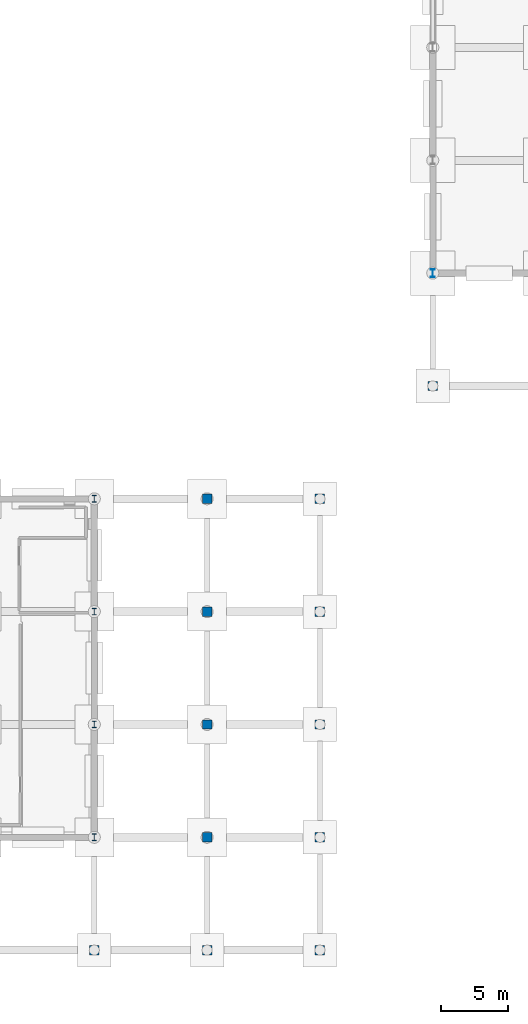
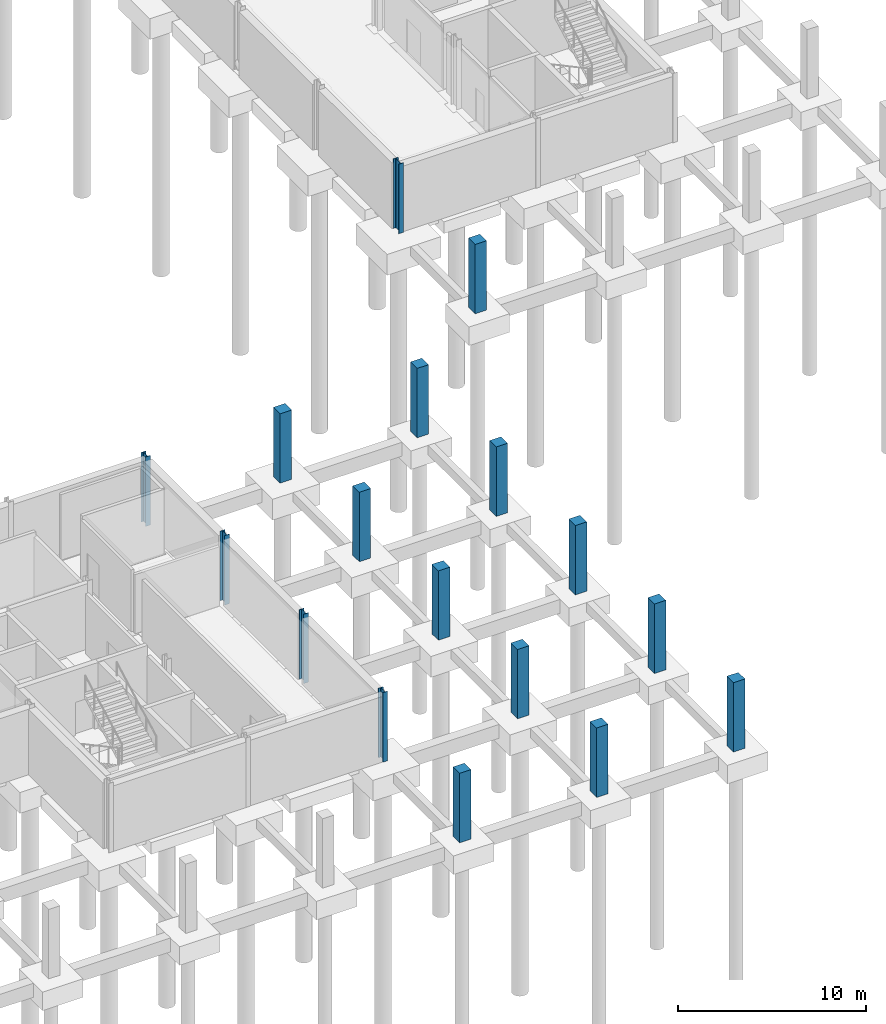
# One storey, part 20 of 43: 17 columns.
"""IFC4 building model written with IfcOpenShell, lengths in metres."""

from ifc_helpers import new_model, si_unit, direction, frame, origin, origin_2d, place, context, subcontext, project, spatial, rectangle, i_section, extrude, material, material_profile, profile_set, type_object, element, save


model = new_model("IFC4")

# Units and contexts
model_context = context("Model", 3, precision=1e-05, world=origin(), true_north=direction((0.0, 1.0)))
body_context = subcontext(model_context, "Body", "Model", "MODEL_VIEW")
ifc_project = project(units=[si_unit("LENGTHUNIT", "METRE"), si_unit("AREAUNIT", "SQUARE_METRE"), si_unit("VOLUMEUNIT", "CUBIC_METRE"), si_unit("PLANEANGLEUNIT", "RADIAN"), si_unit("MASSUNIT", "GRAM", prefix="KILO")], contexts=[model_context])

# Site, building, storey
site_placement = place(None, origin())
site = spatial("IfcSite", under=ifc_project, at=site_placement, CompositionType="ELEMENT")
building_placement = place(site_placement, origin())
building = spatial("IfcBuilding", under=site, at=building_placement, Name="Mersafa Astral City Hall", CompositionType="ELEMENT")
storey_placement = place(building_placement, frame((0.0, 0.0, -4.5)))
storey = spatial("IfcBuildingStorey", under=building, at=storey_placement, Name="B1", CompositionType="ELEMENT", Elevation=-4.5)

# Columns
ifc_material_1 = material(Name="Steel S355", Category="steel")
ifc_material_profile_1 = material_profile(ifc_material_1, i_section(OverallWidth=0.300048828125, OverallDepth=0.5, WebThickness=0.014404296875, FlangeThickness=0.028076171875, FilletRadius=0.027099609375, at=origin_2d()), Name="HEB 500")
ifc_profile_set_1 = profile_set([ifc_material_profile_1], Name="Steel S355")
column_type_1 = type_object("IfcColumnType", Name="STR-COL-HEB500", PredefinedType="COLUMN", material=ifc_profile_set_1)
for number, where, z_axis, x_axis, name in (
    (1, (134.39990234375, 8.39990234375, 0.0), (0.0, 0.0, 1.0), (1.0, 0.0, 0.0), "B1 Structural column G-16-01"),
    (2, (134.39990234375, 16.800048828125, 0.0), (0.0, 0.0, 1.0), (1.0, 0.0, 0.0), "B1 Structural column G-16-02"),
    (3, (134.39990234375, 25.199951171875, 0.0), (0.0, 0.0, 1.0), (1.0, 0.0, 0.0), "B1 Structural column G-16-03"),
    (4, (134.39990234375, 33.60009765625, 0.0), (0.0, 0.0, 1.0), (1.0, 0.0, 0.0), "B1 Structural column G-16-04"),
):
    element("IfcColumn", number, at=place(storey_placement, frame(where, z_axis=z_axis, x_axis=x_axis)), inside=storey, type_object=column_type_1, Name=name, PredefinedType="COLUMN", context=body_context, shape_type="SweptSolid", body=[
        extrude(i_section(OverallWidth=0.300048828125, OverallDepth=0.5, WebThickness=0.014404296875, FlangeThickness=0.028076171875, FilletRadius=0.027099609375, at=origin_2d()), origin(), (0.0, 0.0, 1.0), 4.5),
    ])
ifc_material_profile_2 = material_profile(ifc_material_1, i_section(OverallWidth=0.300048828125, OverallDepth=0.60009765625, WebThickness=0.015380859375, FlangeThickness=0.030029296875, FilletRadius=0.027099609375, at=origin_2d()), Name="HEB 600")
ifc_profile_set_2 = profile_set([ifc_material_profile_2], Name="Steel S355")
column_type_2 = type_object("IfcColumnType", Name="STR-COL-HEB600", PredefinedType="COLUMN", material=ifc_profile_set_2)
column_placement = place(storey_placement, frame((159.60009765625, 50.39990234375, 0.0), z_axis=(0.0, 0.0, 1.0), x_axis=(1.0, 0.0, 0.0)))
element("IfcColumn", 5, at=column_placement, inside=storey, type_object=column_type_2, Name="B1 Structural column G-19-06", PredefinedType="COLUMN", context=body_context, shape_type="SweptSolid", body=[
    extrude(i_section(OverallWidth=0.300048828125, OverallDepth=0.60009765625, WebThickness=0.015380859375, FlangeThickness=0.030029296875, FilletRadius=0.027099609375, at=origin_2d()), origin(), (0.0, 0.0, 1.0), 4.5),
])
ifc_material_2 = material(Name="Concrete C40/50", Category="concrete")
ifc_material_profile_3 = material_profile(ifc_material_2, rectangle(XDim=0.699951171875, YDim=0.699951171875, at=origin_2d()), Name="RC 700x700")
ifc_profile_set_3 = profile_set([ifc_material_profile_3], Name="Concrete C40/50")
column_type_3 = type_object("IfcColumnType", Name="STR-COL-RC700", PredefinedType="COLUMN", material=ifc_profile_set_3)
for number, where, z_axis, x_axis, name in (
    (6, (134.39990234375, 0.0, 0.0), (0.0, 0.0, 1.0), (1.0, 0.0, 0.0), "B1 Structural column G-16-00"),
    (7, (142.800048828125, 0.0, 0.0), (0.0, 0.0, 1.0), (1.0, 0.0, 0.0), "B1 Structural column G-17-00"),
    (8, (142.800048828125, 8.39990234375, 0.0), (0.0, 0.0, 1.0), (1.0, 0.0, 0.0), "B1 Structural column G-17-01"),
    (9, (142.800048828125, 16.800048828125, 0.0), (0.0, 0.0, 1.0), (1.0, 0.0, 0.0), "B1 Structural column G-17-02"),
    (10, (142.800048828125, 25.199951171875, 0.0), (0.0, 0.0, 1.0), (1.0, 0.0, 0.0), "B1 Structural column G-17-03"),
    (11, (142.800048828125, 33.60009765625, 0.0), (0.0, 0.0, 1.0), (1.0, 0.0, 0.0), "B1 Structural column G-17-04"),
    (12, (151.199951171875, 0.0, 0.0), (0.0, 0.0, 1.0), (1.0, 0.0, 0.0), "B1 Structural column G-18-00"),
    (13, (151.199951171875, 8.39990234375, 0.0), (0.0, 0.0, 1.0), (1.0, 0.0, 0.0), "B1 Structural column G-18-01"),
    (14, (151.199951171875, 16.800048828125, 0.0), (0.0, 0.0, 1.0), (1.0, 0.0, 0.0), "B1 Structural column G-18-02"),
    (15, (151.199951171875, 25.199951171875, 0.0), (0.0, 0.0, 1.0), (1.0, 0.0, 0.0), "B1 Structural column G-18-03"),
    (16, (151.199951171875, 33.60009765625, 0.0), (0.0, 0.0, 1.0), (1.0, 0.0, 0.0), "B1 Structural column G-18-04"),
    (17, (159.60009765625, 42.0, 0.0), (0.0, 0.0, 1.0), (1.0, 0.0, 0.0), "B1 Structural column G-19-05"),
):
    element("IfcColumn", number, at=place(storey_placement, frame(where, z_axis=z_axis, x_axis=x_axis)), inside=storey, type_object=column_type_3, Name=name, PredefinedType="COLUMN", context=body_context, shape_type="SweptSolid", body=[
        extrude(rectangle(XDim=0.699951171875, YDim=0.699951171875, at=origin_2d()), origin(), (0.0, 0.0, 1.0), 4.5),
    ])

save(model, "model.ifc")
